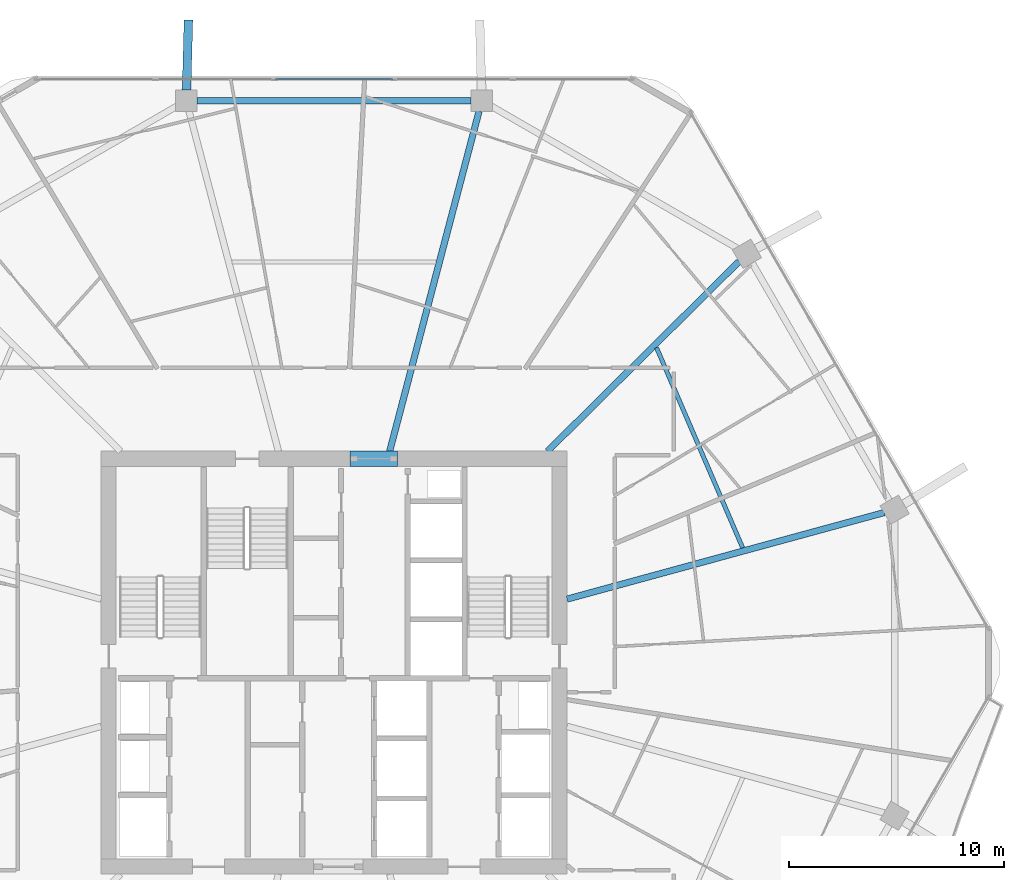
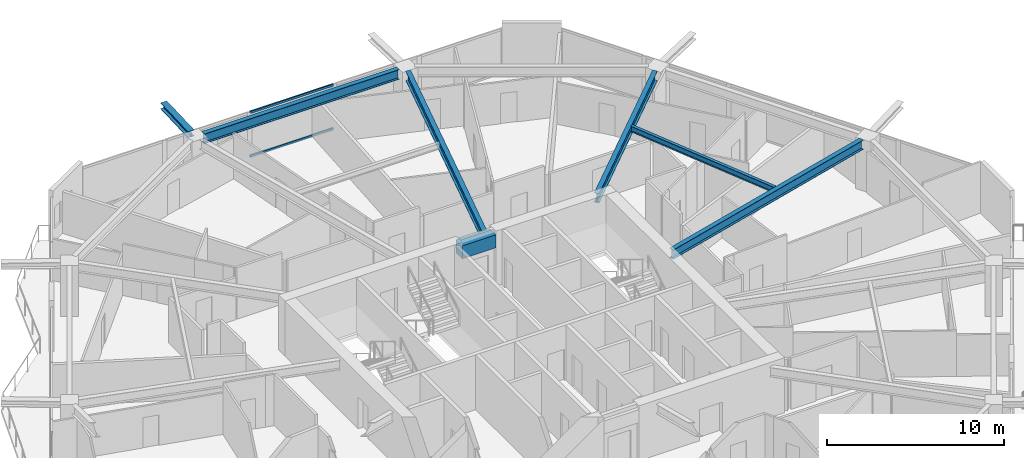
# One storey, part 13 of 26: 7 beams, 2 members, 1 element without a shape of its own.
"""IFC4 building model written with IfcOpenShell, lengths in metres."""

from ifc_helpers import new_model, si_unit, direction, frame, origin, origin_2d, place, context, subcontext, project, spatial, rectangle, hollow_rectangle, i_section, extrude, material, material_profile, profile_set, type_object, element, aggregate, save


model = new_model("IFC4")

# Units and contexts
model_context = context("Model", 3, precision=1e-05, world=origin(), true_north=direction((0.0, 1.0)))
body_context = subcontext(model_context, "Body", "Model", "MODEL_VIEW")
ifc_project = project(units=[si_unit("LENGTHUNIT", "METRE"), si_unit("AREAUNIT", "SQUARE_METRE"), si_unit("VOLUMEUNIT", "CUBIC_METRE"), si_unit("PLANEANGLEUNIT", "RADIAN"), si_unit("MASSUNIT", "GRAM", prefix="KILO")], contexts=[model_context])

# Site, building, storey
site_placement = place(None, origin())
site = spatial("IfcSite", under=ifc_project, at=site_placement, CompositionType="ELEMENT")
building_placement = place(site_placement, origin())
building = spatial("IfcBuilding", under=site, at=building_placement, Name="Zuhravey Tower", CompositionType="ELEMENT")
storey_placement = place(building_placement, frame((0.0, 0.0, 165.60009765625)))
storey = spatial("IfcBuildingStorey", under=building, at=storey_placement, Name="L41", CompositionType="ELEMENT", Elevation=165.60009765625)

# Beam
ifc_material_1 = material(Name="Concrete C60/75", Category="concrete")
ifc_material_profile_1 = material_profile(ifc_material_1, rectangle(XDim=0.699951171875, YDim=0.89990234375, at=origin_2d()), Name="RC-700x900")
ifc_profile_set_1 = profile_set([ifc_material_profile_1], Name="Concrete C60/75")
beam_type_1 = type_object("IfcBeamType", Name="Core Coupling Beam RC700x900", PredefinedType="LINTEL", material=ifc_profile_set_1)
beam_1_placement = place(storey_placement, frame((36.751953125, 41.5, 3.099853515625), z_axis=(1.0, 0.0, 0.0), x_axis=(0.0, 1.0, 0.0)))
element("IfcBeam", 1, at=beam_1_placement, inside=storey, type_object=beam_type_1, Name="L41 CB1 BM-L41-CB-N", PredefinedType="LINTEL", context=body_context, shape_type="SweptSolid", body=[
    extrude(rectangle(XDim=0.699951171875, YDim=0.89990234375, at=origin_2d()), origin(), (0.0, 0.0, 1.0), 2.196044921875),
])

# Curtain wall, members
ifc_material_2 = material(Name="Thermally broken anodised aluminium", Category="aluminium")
curtain_wall_type = type_object("IfcCurtainWallType", Name="Zone 1-2 Residential Curtain Wall CW3", PredefinedType="NOTDEFINED", material=ifc_material_2)
curtain_wall_placement = place(storey_placement, origin())
curtain_wall = element("IfcCurtainWall", 2, at=curtain_wall_placement, inside=storey, type_object=curtain_wall_type, Name="L41 CW3 CW-L41-F2-1", PredefinedType="NOTDEFINED")
ifc_material_3 = material(Name="Anodised aluminium", Category="aluminium")
ifc_material_profile_2 = material_profile(ifc_material_3, hollow_rectangle(XDim=0.090087890625, YDim=0.14990234375, WallThickness=0.0048828125, at=origin_2d()), Name="ALU-RHS-90x150x5")
ifc_profile_set_2 = profile_set([ifc_material_profile_2], Name="Anodised aluminium")
member_type = type_object("IfcMemberType", Name="Curtain-Wall Transom 90x150", PredefinedType="USERDEFINED", material=ifc_profile_set_2)
member_1_placement = place(storey_placement, frame((33.272705078125, 59.18310546875, 0.044921875), z_axis=(1.0, 0.0, 0.0), x_axis=(0.0, 1.0, 0.0)))
member_1 = element("IfcMember", 3, at=member_1_placement, type_object=member_type, Name="CW3 transom 3.1", ObjectType="TRANSOM", PredefinedType="USERDEFINED", context=body_context, shape_type="SweptSolid", body=[
    extrude(hollow_rectangle(XDim=0.090087890625, YDim=0.14990234375, WallThickness=0.0048828125, at=origin_2d()), origin(), (0.0, 0.0, 1.0), 5.45458984375),
])
member_2_placement = place(storey_placement, frame((33.272705078125, 59.18310546875, 3.076904296875), z_axis=(1.0, 0.0, 0.0), x_axis=(0.0, 1.0, 0.0)))
member_2 = element("IfcMember", 4, at=member_2_placement, type_object=member_type, Name="CW3 transom 3.2", ObjectType="TRANSOM", PredefinedType="USERDEFINED", context=body_context, shape_type="SweptSolid", body=[
    extrude(hollow_rectangle(XDim=0.090087890625, YDim=0.14990234375, WallThickness=0.0048828125, at=origin_2d()), origin(), (0.0, 0.0, 1.0), 5.45458984375),
])
aggregate(curtain_wall, [member_1, member_2])

# Beams
ifc_material_4 = material(Name="Steel SM460", Category="steel")
ifc_material_profile_3 = material_profile(ifc_material_4, i_section(OverallWidth=0.406982421875, OverallDepth=0.427978515625, WebThickness=0.02001953125, FlangeThickness=0.034912109375, at=origin_2d()), Name="H-428x407x20x35")
ifc_profile_set_3 = profile_set([ifc_material_profile_3], Name="Steel SM460")
beam_type_2 = type_object("IfcBeamType", Name="Exoskeleton Node Tie Beam H428x407", PredefinedType="BEAM", material=ifc_profile_set_3)
beam_2_placement = place(storey_placement, frame((29.131591796875, 58.677001953125, 3.3359375), z_axis=(0.02672320059, 0.999642871505, 0.0), x_axis=(-0.999642871505, 0.02672320059, 0.0)))
element("IfcBeam", 5, at=beam_2_placement, inside=storey, type_object=beam_type_2, Name="L41 Exoskeleton Node Tie NT1-04", PredefinedType="BEAM", context=body_context, shape_type="SweptSolid", body=[
    extrude(i_section(OverallWidth=0.406982421875, OverallDepth=0.427978515625, WebThickness=0.02001953125, FlangeThickness=0.034912109375, at=origin_2d()), origin(), (0.0, 0.0, 1.0), 3.25244140625),
])
ifc_material_5 = material(Name="Steel SM355", Category="steel")
ifc_material_profile_4 = material_profile(ifc_material_5, i_section(OverallWidth=0.300048828125, OverallDepth=0.679931640625, WebThickness=0.012939453125, FlangeThickness=0.02197265625, at=origin_2d()), Name="H-680x300x13x22")
ifc_profile_set_4 = profile_set([ifc_material_profile_4], Name="Steel SM355")
beam_type_3 = type_object("IfcBeamType", Name="Perimeter Ring Beam H680x300", PredefinedType="BEAM", material=ifc_profile_set_4)
beam_3_placement = place(storey_placement, frame((42.37890625, 58.173095703125, 3.2099609375), z_axis=(-1.0, 0.0, 0.0), x_axis=(0.0, -1.0, 0.0)))
element("IfcBeam", 6, at=beam_3_placement, inside=storey, type_object=beam_type_3, Name="L41 PB2 BM-L41-PB-03", PredefinedType="BEAM", context=body_context, shape_type="SweptSolid", body=[
    extrude(i_section(OverallWidth=0.300048828125, OverallDepth=0.679931640625, WebThickness=0.012939453125, FlangeThickness=0.02197265625, at=origin_2d()), origin(), (0.0, 0.0, 1.0), 12.7578125),
])
ifc_material_profile_5 = material_profile(ifc_material_5, i_section(OverallWidth=0.300048828125, OverallDepth=0.64990234375, WebThickness=0.012939453125, FlangeThickness=0.02197265625, at=origin_2d()), Name="H-650x300x13x22")
ifc_profile_set_5 = profile_set([ifc_material_profile_5], Name="Steel SM355")
beam_type_4 = type_object("IfcBeamType", Name="Radial Primary Girder H650x300", PredefinedType="BEAM", material=ifc_profile_set_5)
beam_4_placement = place(storey_placement, frame((46.85302734375, 34.96240234375, 3.224853515625), z_axis=(0.964701601771, 0.263345437667, 0.0), x_axis=(-0.263345437667, 0.964701601771, 0.0)))
element("IfcBeam", 7, at=beam_4_placement, inside=storey, type_object=beam_type_4, Name="L41 RG2 BM-L41-RAD-01", PredefinedType="BEAM", context=body_context, shape_type="SweptSolid", body=[
    extrude(i_section(OverallWidth=0.300048828125, OverallDepth=0.64990234375, WebThickness=0.012939453125, FlangeThickness=0.02197265625, at=origin_2d()), origin(), (0.0, 0.0, 1.0), 15.309814453125),
])
beam_5_placement = place(storey_placement, frame((45.945556640625, 41.85302734375, 3.224853515625), z_axis=(0.71040353357, 0.703794586148, 0.0), x_axis=(-0.703794586148, 0.71040353357, 0.0)))
element("IfcBeam", 8, at=beam_5_placement, inside=storey, type_object=beam_type_4, Name="L41 RG2 BM-L41-RAD-02", PredefinedType="BEAM", context=body_context, shape_type="SweptSolid", body=[
    extrude(i_section(OverallWidth=0.300048828125, OverallDepth=0.64990234375, WebThickness=0.012939453125, FlangeThickness=0.02197265625, at=origin_2d()), origin(), (0.0, 0.0, 1.0), 12.559814453125),
])
beam_6_placement = place(storey_placement, frame((38.5908203125, 41.85302734375, 3.224853515625), z_axis=(0.254300244998, 0.967125320418, 0.0), x_axis=(-0.967125320418, 0.254300244998, 0.0)))
element("IfcBeam", 9, at=beam_6_placement, inside=storey, type_object=beam_type_4, Name="L41 RG2 BM-L41-RAD-03", PredefinedType="BEAM", context=body_context, shape_type="SweptSolid", body=[
    extrude(i_section(OverallWidth=0.300048828125, OverallDepth=0.64990234375, WebThickness=0.012939453125, FlangeThickness=0.02197265625, at=origin_2d()), origin(), (0.0, 0.0, 1.0), 16.371826171875),
])
ifc_material_profile_6 = material_profile(ifc_material_5, i_section(OverallWidth=0.199951171875, OverallDepth=0.39990234375, WebThickness=0.008056640625, FlangeThickness=0.012939453125, at=origin_2d()), Name="H-400x200x8x13")
ifc_profile_set_6 = profile_set([ifc_material_profile_6], Name="Steel SM355")
beam_type_5 = type_object("IfcBeamType", Name="Secondary Floor Joist H400x200", PredefinedType="JOIST", material=ifc_profile_set_6)
beam_7_placement = place(storey_placement, frame((55.029541015625, 37.3525390625, 3.349853515625), z_axis=(-0.395265853487, 0.918566766799, 0.0), x_axis=(-0.918566766799, -0.395265853487, 0.0)))
element("IfcBeam", 10, at=beam_7_placement, inside=storey, type_object=beam_type_5, Name="L41 SJ2 BM-L41-SJ-01-1", PredefinedType="JOIST", context=body_context, shape_type="SweptSolid", body=[
    extrude(i_section(OverallWidth=0.199951171875, OverallDepth=0.39990234375, WebThickness=0.008056640625, FlangeThickness=0.012939453125, at=origin_2d()), origin(), (0.0, 0.0, 1.0), 10.150146484375),
])

save(model, "model.ifc")
